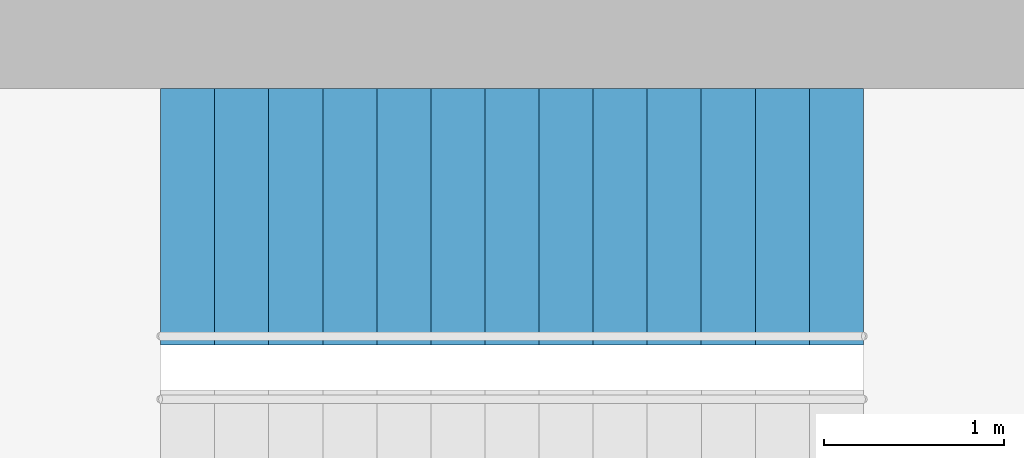
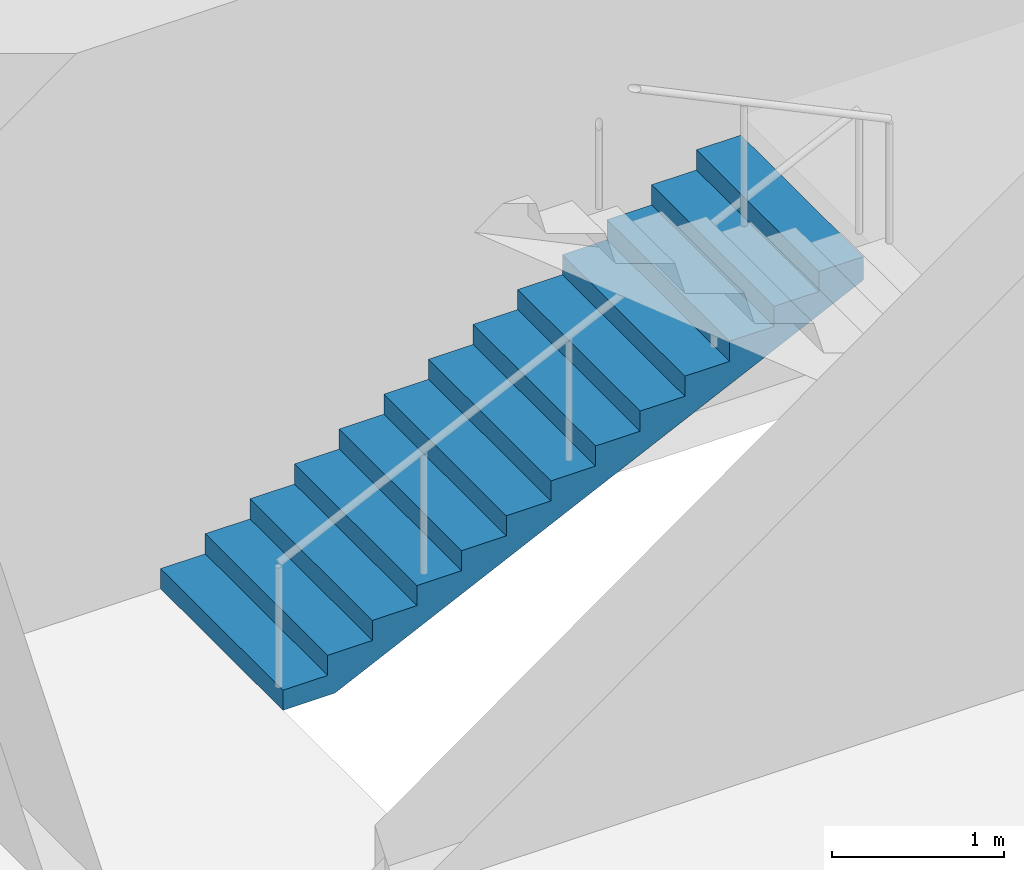
# One storey, part 44 of 45: 1 stair flight, 1 element without a shape of its own.
"""IFC4 building model written with IfcOpenShell, lengths in metres."""

from ifc_helpers import new_model, si_unit, direction, frame, origin, place, context, subcontext, project, spatial, polyline, outline, extrude, material, type_object, element, aggregate, save


model = new_model("IFC4")

# Units and contexts
model_context = context("Model", 3, precision=1e-05, world=origin(), true_north=direction((0.0, 1.0)))
body_context = subcontext(model_context, "Body", "Model", "MODEL_VIEW")
ifc_project = project(units=[si_unit("LENGTHUNIT", "METRE"), si_unit("AREAUNIT", "SQUARE_METRE"), si_unit("VOLUMEUNIT", "CUBIC_METRE"), si_unit("PLANEANGLEUNIT", "RADIAN"), si_unit("MASSUNIT", "GRAM", prefix="KILO")], contexts=[model_context])

# Site, building, storey
site_placement = place(None, origin())
site = spatial("IfcSite", under=ifc_project, at=site_placement, CompositionType="ELEMENT")
building_placement = place(site_placement, origin())
building = spatial("IfcBuilding", under=site, at=building_placement, Name="Zorevar Civic Tower", CompositionType="ELEMENT")
storey_placement = place(building_placement, frame((0.0, 0.0, 279.39990234375)))
storey = spatial("IfcBuildingStorey", under=building, at=storey_placement, Name="L68", CompositionType="ELEMENT", Elevation=279.39990234375)

# Stair, stair flight
ifc_material_1 = material(Name="Precast concrete C40/50", Category="concrete")
stair_type = type_object("IfcStairType", Name="Stair ST 28R", PredefinedType="HALF_TURN_STAIR", material=ifc_material_1)
stair_placement = place(storey_placement, origin())
stair = element("IfcStair", 1, at=stair_placement, inside=storey, type_object=stair_type, Name="Stair ST2 L68", PredefinedType="HALF_TURN_STAIR")
ifc_material_2 = material(Name="Precast concrete C40/50", Category="concrete")
stair_flight_type = type_object("IfcStairFlightType", Name="Stair flight", PredefinedType="STRAIGHT", material=ifc_material_2)
stair_flight_placement = place(storey_placement, frame((37.949951171875, 34.737548828125, 0.0), z_axis=(0.0, 0.0, 1.0), x_axis=(1.0, 0.0, 0.0)))
stair_flight = element("IfcStairFlight", 2, at=stair_flight_placement, type_object=stair_flight_type, Name="ST2 flight 1", NumberOfRisers=14, NumberOfTreads=13, PredefinedType="STRAIGHT", RiserHeight=0.142857143, TreadLength=0.3, context=body_context, shape_type="SweptSolid", body=[
    extrude(outline(polyline([(0.0, 0.0), (0.0, 0.142822265625), (0.300048828125, 0.142822265625), (0.300048828125, 0.28564453125), (0.60009765625, 0.28564453125), (0.60009765625, 0.428466796875), (0.89990234375, 0.428466796875), (0.89990234375, 0.571533203125), (1.199951171875, 0.571533203125), (1.199951171875, 0.71435546875), (1.5, 0.71435546875), (1.5, 0.857177734375), (1.800048828125, 0.857177734375), (1.800048828125, 1.0), (2.10009765625, 1.0), (2.10009765625, 1.142822265625), (2.39990234375, 1.142822265625), (2.39990234375, 1.28564453125), (2.699951171875, 1.28564453125), (2.699951171875, 1.428466796875), (3.0, 1.428466796875), (3.0, 1.571533203125), (3.300048828125, 1.571533203125), (3.300048828125, 1.71435546875), (3.60009765625, 1.71435546875), (3.60009765625, 1.857177734375), (3.89990234375, 1.857177734375), (3.89990234375, 2.0), (3.89990234375, 1.691162109375), (0.3486328125, 0.0), (0.0, 0.0)])), frame((0.0, 0.71240234375, 0.0), z_axis=(0.0, -1.0, 0.0), x_axis=(1.0, 0.0, 0.0)), (0.0, 0.0, 1.0), 1.425048828125),
])
aggregate(stair, [stair_flight])

save(model, "model.ifc")
